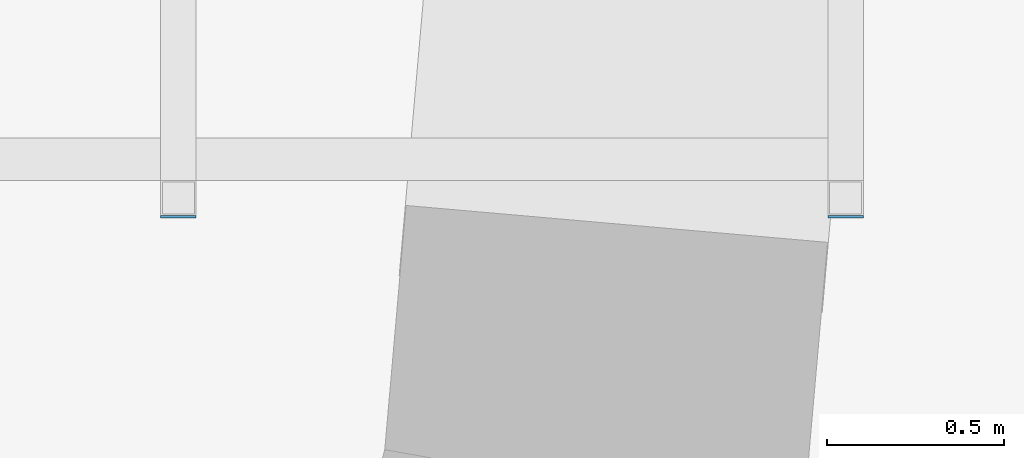
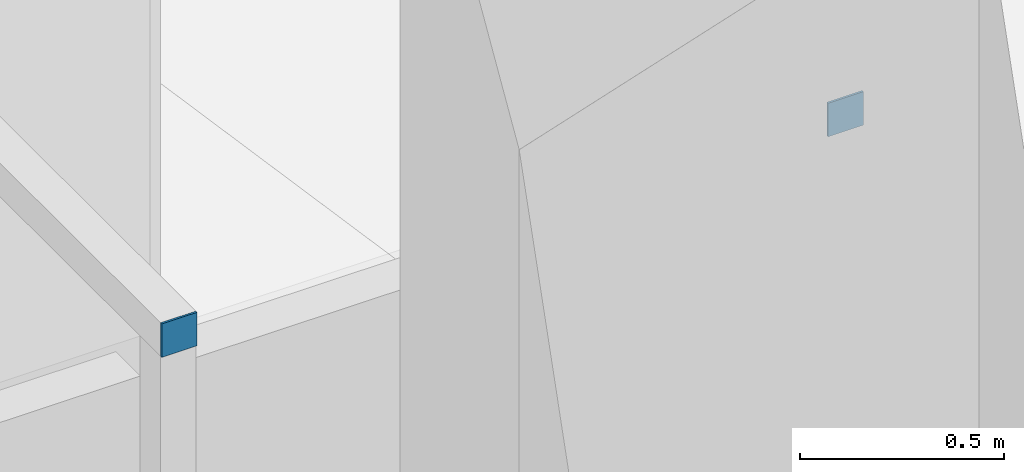
# One storey, part 41 of 85: 2 plates, 1 element without a shape of its own.
"""IFC4 building model written with IfcOpenShell, lengths in metres."""

import ifcopenshell
import ifcopenshell.guid

model = None  # the IFC model being written
_history = None  # IfcOwnerHistory: only IFC2X3 demands one
_inside = {}  # id of a spatial element -> (the spatial element, [elements in it])
_under = {}  # id of a project, library or spatial element -> (it, [spatial elements below it])
_declared = {}  # id of a project -> (the project, [libraries it declares])
_typed = {}  # id of a type object -> (the type object, [elements of that type])
_made_of = {}  # id of a material, layer set ... -> (it, [elements and type objects made of it])


def new_model(schema):
    """Start an empty IFC model of exactly this schema.

    Asked for "IFC4X3", IfcOpenShell would pick the latest addendum, in which some entities
    have other attributes; the version numbers below select the first issue.
    IFC2X3 requires an IfcOwnerHistory on every rooted entity: one is made here for all.
    """
    global model, _history
    if schema == "IFC4X3":
        model = ifcopenshell.file(schema_version=(4, 3, 0, 0))
    else:
        model = ifcopenshell.file(schema=schema)
    _inside.clear()
    _under.clear()
    _declared.clear()
    _typed.clear()
    _made_of.clear()
    _history = None
    if model.schema == "IFC2X3":
        org = make("IfcOrganization", Name="unknown")
        user = make(
            "IfcPersonAndOrganization",
            ThePerson=make("IfcPerson", FamilyName="unknown"),
            TheOrganization=org,
        )
        app = make(
            "IfcApplication",
            ApplicationDeveloper=org,
            Version="unknown",
            ApplicationFullName="unknown",
            ApplicationIdentifier="unknown",
        )
        _history = make(
            "IfcOwnerHistory",
            OwningUser=user,
            OwningApplication=app,
            ChangeAction="ADDED",
            CreationDate=0,
        )
    return model


def make(cls, **values):
    """One entity of the class cls with the attributes given. An attribute that is None is left unset."""
    return model.create_entity(
        cls, **{name: value for name, value in values.items() if value is not None}
    )


def rooted(cls, **values):
    """An entity with a GlobalId (a new one), such as an element, a storey or a relation."""
    return make(cls, GlobalId=ifcopenshell.guid.new(), OwnerHistory=_history, **values)


def si_unit(unit_type, name, prefix=None):
    """IfcSIUnit, for example si_unit("LENGTHUNIT", "METRE", prefix="MILLI")."""
    return make("IfcSIUnit", UnitType=unit_type, Prefix=prefix, Name=name)


def assignment(units):
    """IfcUnitAssignment: the units of a project."""
    return None if units is None else make("IfcUnitAssignment", Units=units)


def point(xyz):
    """IfcCartesianPoint."""
    return None if xyz is None else make("IfcCartesianPoint", Coordinates=xyz)


def direction(xyz):
    """IfcDirection."""
    return None if xyz is None else make("IfcDirection", DirectionRatios=xyz)


def frame(location, z_axis=None, x_axis=None):
    """IfcAxis2Placement3D, a coordinate frame: its origin and axes. An axis left out is left unset."""
    return make(
        "IfcAxis2Placement3D",
        Location=point(location),
        Axis=direction(z_axis),
        RefDirection=direction(x_axis),
    )


def frame_2d(location, x_axis=None):
    """IfcAxis2Placement2D, a coordinate frame in the plane: its origin and x axis."""
    return make(
        "IfcAxis2Placement2D", Location=point(location), RefDirection=direction(x_axis)
    )


def origin():
    """The frame at (0, 0, 0) with its axes left unset."""
    return frame((0.0, 0.0, 0.0))


def origin_2d():
    """The frame at (0, 0) in the plane with its x axis left unset."""
    return frame_2d((0.0, 0.0))


def place(relative_to, where):
    """IfcLocalPlacement: puts the frame where relative to a parent placement (None: the world)."""
    return make(
        "IfcLocalPlacement", PlacementRelTo=relative_to, RelativePlacement=where
    )


def context(
    kind, dimensions, precision=None, world=None, true_north=None, identifier=None
):
    """IfcGeometricRepresentationContext, for example the 3D "Model" context."""
    return make(
        "IfcGeometricRepresentationContext",
        ContextIdentifier=identifier,
        ContextType=kind,
        CoordinateSpaceDimension=dimensions,
        Precision=precision,
        WorldCoordinateSystem=world,
        TrueNorth=true_north,
    )


def subcontext(parent, identifier, kind, view, scale=None):
    """IfcGeometricRepresentationSubContext, for example "Body" below "Model"."""
    return make(
        "IfcGeometricRepresentationSubContext",
        ContextIdentifier=identifier,
        ContextType=kind,
        ParentContext=parent,
        TargetScale=scale,
        TargetView=view,
    )


def project(units=None, contexts=None):
    """IfcProject with its units and contexts."""
    return rooted(
        "IfcProject",
        Name="project",
        RepresentationContexts=contexts,
        UnitsInContext=assignment(units),
    )


def spatial(cls, under=None, at=None, **own):
    """A site, building, storey or space (cls), placed at a placement, below another one or the project."""
    s = rooted(cls, ObjectPlacement=at, **own)
    if under is not None:
        _under.setdefault(under.id(), (under, []))[1].append(s)
    return s


def profile(cls, at=None, kind="AREA", **sizes):
    """A parametric profile (cls). Its sizes go by their IFC names, for example OverallWidth=200.0."""
    return make(cls, ProfileType=kind, Position=at, **sizes)


def rectangle(**sizes):
    """IfcRectangleProfileDef."""
    return profile("IfcRectangleProfileDef", **sizes)


def extrude(swept, where, along, depth):
    """IfcExtrudedAreaSolid: the profile swept, set in the frame where, extruded along a direction by depth."""
    return make(
        "IfcExtrudedAreaSolid",
        SweptArea=swept,
        Position=where,
        ExtrudedDirection=direction(along),
        Depth=depth,
    )


def shape(context_of_items, identifier, shape_type, items):
    """IfcShapeRepresentation: the items that make up one representation, for example the "Body"."""
    return make(
        "IfcShapeRepresentation",
        ContextOfItems=context_of_items,
        RepresentationIdentifier=identifier,
        RepresentationType=shape_type,
        Items=items,
    )


def material(Name=None, Category=None):
    """IfcMaterial."""
    return make("IfcMaterial", Name=Name, Category=Category)


def layer(
    of_material, thickness, ventilated=None, Name=None, Category=None, Priority=None
):
    """IfcMaterialLayer: one layer of a wall or slab, of a material (None: an air gap)."""
    return make(
        "IfcMaterialLayer",
        Material=of_material,
        LayerThickness=thickness,
        IsVentilated=ventilated,
        Name=Name,
        Category=Category,
        Priority=Priority,
    )


def layer_set(layers, Name=None):
    """IfcMaterialLayerSet."""
    return make("IfcMaterialLayerSet", MaterialLayers=layers, LayerSetName=Name)


def made_of(thing, what):
    """Note that an element or type object is made of a material, layer set ...; save() writes the relation."""
    if what is not None:
        _made_of.setdefault(what.id(), (what, []))[1].append(thing)
    return thing


def type_object(cls, material=None, **own):
    """A type object (cls), such as IfcWallType, which elements share."""
    return made_of(rooted(cls, **own), material)


def element(
    cls,
    number,
    at=None,
    inside=None,
    cuts=None,
    type_object=None,
    material=None,
    context=None,
    identifier="Body",
    shape_type=None,
    held_by="IfcProductDefinitionShape",
    body=None,
    shapes=None,
    **own,
):
    """One element of the class cls, such as IfcWall. Its Tag is "e" and its number.

    at: its placement. inside: the storey or other place that contains it. cuts: it is an
    opening in that element (IfcRelVoidsElement). A single representation is given by context,
    identifier, shape_type and body (its items); several are given by shapes. held_by: the class
    of the entity that holds the representations. save() writes the other relations.
    """
    e = rooted(cls, Tag="e%d" % number, ObjectPlacement=at, **own)
    if body is not None:
        shapes = [shape(context, identifier, shape_type, body)]
    if shapes is not None:
        e.Representation = make(held_by, Representations=shapes)
    if inside is not None:
        _inside.setdefault(inside.id(), (inside, []))[1].append(e)
    if cuts is not None:
        rooted(
            "IfcRelVoidsElement", RelatingBuildingElement=cuts, RelatedOpeningElement=e
        )
    if type_object is not None:
        _typed.setdefault(type_object.id(), (type_object, []))[1].append(e)
    return made_of(e, material)


def aggregate(whole, parts):
    """IfcRelAggregates: a whole, such as a stair, and the parts it consists of."""
    return rooted("IfcRelAggregates", RelatingObject=whole, RelatedObjects=parts)


def save(model, path):
    """Write the relations noted so far, then the file.

    IfcRelAggregates (storeys below a building ...), IfcRelContainedInSpatialStructure (elements
    in a storey), IfcRelDefinesByType, IfcRelAssociatesMaterial and IfcRelDeclares: one each for
    every whole, place, type object, material and project.
    """
    for whole, parts in _under.values():
        aggregate(whole, parts)
    for where, things in _inside.values():
        rooted(
            "IfcRelContainedInSpatialStructure",
            RelatedElements=things,
            RelatingStructure=where,
        )
    for kind, things in _typed.values():
        rooted("IfcRelDefinesByType", RelatedObjects=things, RelatingType=kind)
    for what, things in _made_of.values():
        rooted("IfcRelAssociatesMaterial", RelatedObjects=things, RelatingMaterial=what)
    for by, libraries in _declared.values():
        rooted("IfcRelDeclares", RelatingContext=by, RelatedDefinitions=libraries)
    model.write(path)


model = new_model("IFC4")

# Units and contexts
model_context = context("Model", 3, precision=1e-05, world=origin(), true_north=direction((0.0, 1.0)))
body_context = subcontext(model_context, "Body", "Model", "MODEL_VIEW")
ifc_project = project(units=[si_unit("LENGTHUNIT", "METRE"), si_unit("AREAUNIT", "SQUARE_METRE"), si_unit("VOLUMEUNIT", "CUBIC_METRE"), si_unit("PLANEANGLEUNIT", "RADIAN"), si_unit("MASSUNIT", "GRAM", prefix="KILO")], contexts=[model_context])

# Site, building, storey
site_placement = place(None, origin())
site = spatial("IfcSite", under=ifc_project, at=site_placement, CompositionType="ELEMENT")
building_placement = place(site_placement, origin())
building = spatial("IfcBuilding", under=site, at=building_placement, Name="Volute Hill Aquarium", CompositionType="ELEMENT")
storey_placement = place(building_placement, origin())
storey = spatial("IfcBuildingStorey", under=building, at=storey_placement, Name="L01", CompositionType="ELEMENT", Elevation=0.0)

# Curtain wall, plates
ifc_material_1 = material(Name="Acrylic PMMA")
curtain_wall_type = type_object("IfcCurtainWallType", Name="Viewing tunnel acrylic assembly", PredefinedType="NOTDEFINED", material=ifc_material_1)
curtain_wall_placement = place(storey_placement, origin())
curtain_wall = element("IfcCurtainWall", 1, at=curtain_wall_placement, inside=storey, type_object=curtain_wall_type, Name="Viewing tunnel acrylic assembly", PredefinedType="NOTDEFINED")
ifc_material_2 = material(Name="Steel S355", Category="steel")
ifc_layer = layer(ifc_material_2, 0.006103515625)
ifc_layer_set = layer_set([ifc_layer], Name="Tunnel frame end plate 6 S355")
plate_type = type_object("IfcPlateType", Name="Tunnel frame end plate 6 S355", PredefinedType="SHEET", material=ifc_layer_set)
plate_1_placement = place(storey_placement, frame((13.203857421875, -1.77294921875, 2.719970703125), z_axis=(0.0, 0.0, 1.0), x_axis=(1.0, 0.0, 0.0)))
plate_1 = element("IfcPlate", 2, at=plate_1_placement, type_object=plate_type, Name="Tunnel frame end plate 16A", PredefinedType="SHEET", context=body_context, shape_type="SweptSolid", body=[
    extrude(rectangle(XDim=0.10009765625, YDim=0.006103515625, at=origin_2d()), origin(), (0.0, 0.0, 1.0), 0.10009765625),
])
plate_2_placement = place(storey_placement, frame((15.090087890625, -1.77294921875, 2.719970703125), z_axis=(0.0, 0.0, 1.0), x_axis=(1.0, 0.0, 0.0)))
plate_2 = element("IfcPlate", 3, at=plate_2_placement, type_object=plate_type, Name="Tunnel frame end plate 17A", PredefinedType="SHEET", context=body_context, shape_type="SweptSolid", body=[
    extrude(rectangle(XDim=0.10009765625, YDim=0.006103515625, at=origin_2d()), origin(), (0.0, 0.0, 1.0), 0.10009765625),
])
aggregate(curtain_wall, [plate_1, plate_2])

save(model, "model.ifc")
